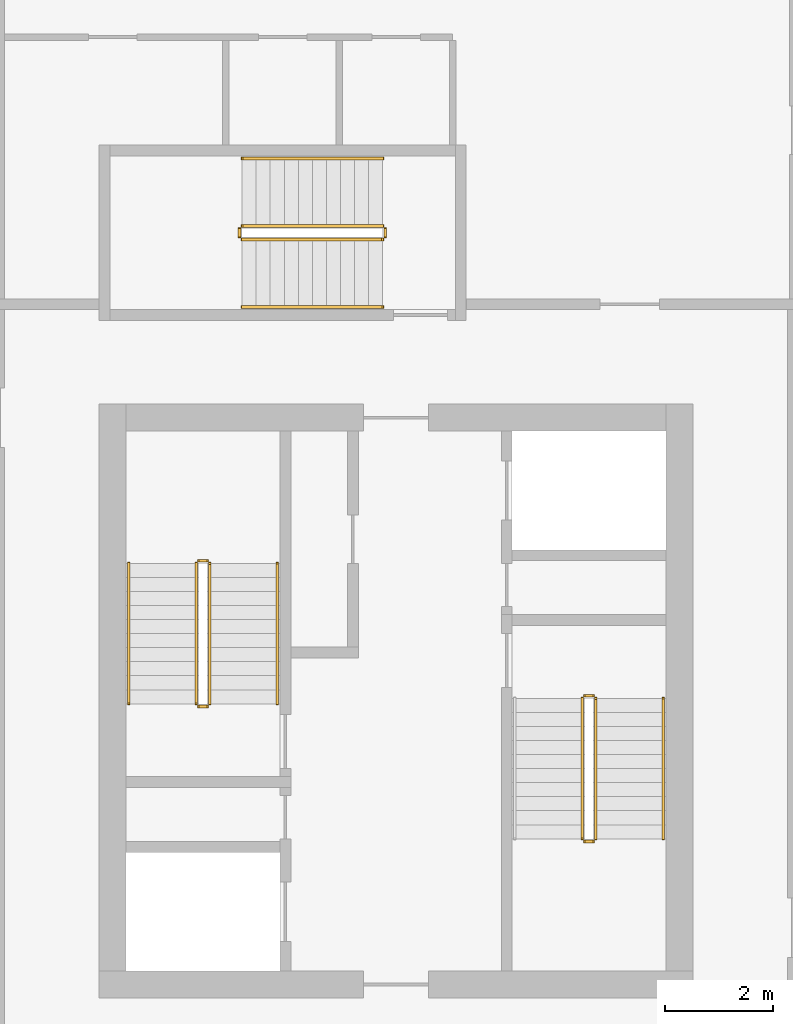
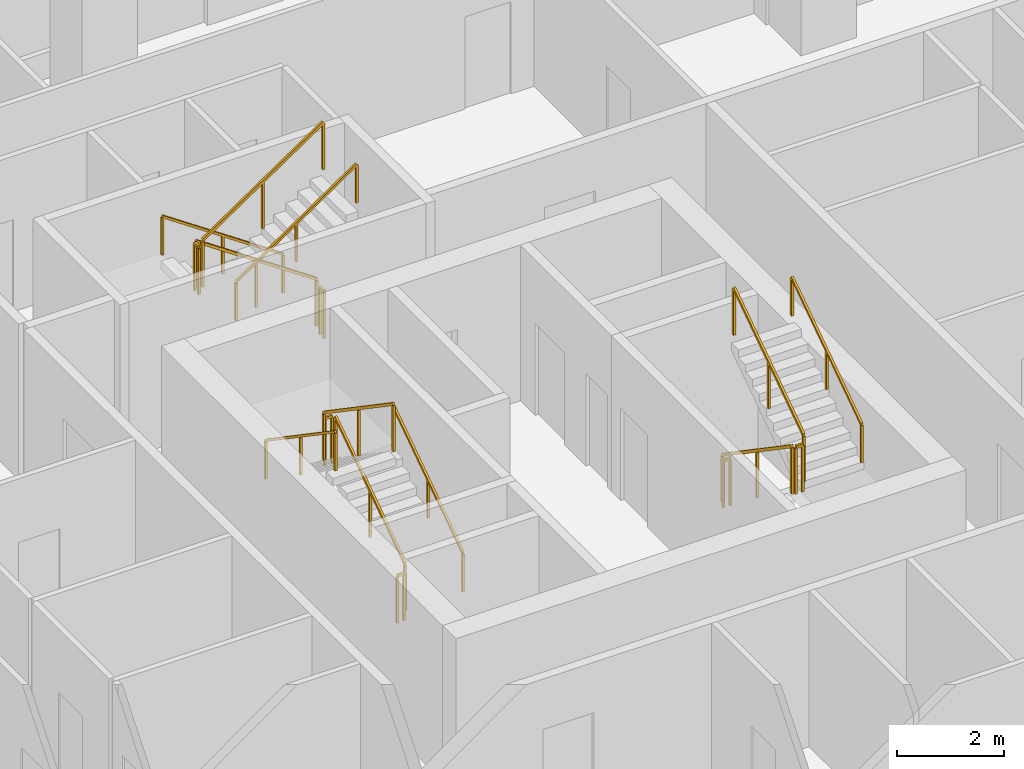
# One storey, part 9 of 10: 17 railings.
"""IFC4 building model written with IfcOpenShell, lengths in metres."""

from ifc_helpers import new_model, si_unit, direction, frame, origin, origin_2d, place, context, subcontext, project, spatial, rectangle, extrude, material, type_object, element, save


model = new_model("IFC4")

# Units and contexts
model_context = context("Model", 3, precision=1e-05, world=origin(), true_north=direction((0.0, 1.0)))
body_context = subcontext(model_context, "Body", "Model", "MODEL_VIEW")
ifc_project = project(units=[si_unit("LENGTHUNIT", "METRE"), si_unit("AREAUNIT", "SQUARE_METRE"), si_unit("VOLUMEUNIT", "CUBIC_METRE"), si_unit("PLANEANGLEUNIT", "RADIAN"), si_unit("MASSUNIT", "GRAM", prefix="KILO")], contexts=[model_context])

# Site, building, storey
site_placement = place(None, origin())
site = spatial("IfcSite", under=ifc_project, at=site_placement, CompositionType="ELEMENT")
building_placement = place(site_placement, origin())
building = spatial("IfcBuilding", under=site, at=building_placement, Name="Khepri Terraces", CompositionType="ELEMENT")
storey_placement = place(building_placement, frame((0.0, 0.0, 300.60009765625)))
storey = spatial("IfcBuildingStorey", under=building, at=storey_placement, Name="L72", CompositionType="ELEMENT", Elevation=300.60009765625)

# Railings
ifc_material = material(Name="Stainless steel 316", Category="steel")
railing_type_1 = type_object("IfcRailingType", Name="RL-CORE-GUARD", PredefinedType="GUARDRAIL", material=ifc_material)
railing_1_placement = place(storey_placement, frame((-3.449951171875, -0.050048828125, 0.17724609375)))
element("IfcRailing", 1, at=railing_1_placement, inside=storey, type_object=railing_type_1, Name="L72 ST-1 stair guard 1", PredefinedType="GUARDRAIL", context=body_context, shape_type="SweptSolid", body=[
    extrude(rectangle(XDim=0.050048828125, YDim=0.06005859375, at=origin_2d()), frame((0.0, 0.0, 1.070068359375), z_axis=(0.0, 0.826240473404, 0.563317565952), x_axis=(-1.0, 0.0, 0.0)), (0.0, 0.0, 1.0), 3.14697265625),
    extrude(rectangle(XDim=0.050048828125, YDim=0.050048828125, at=origin_2d()), origin(), (0.0, 0.0, 1.0), 1.0400390625),
    extrude(rectangle(XDim=0.050048828125, YDim=0.050048828125, at=origin_2d()), frame((0.0, 1.300048828125, 0.88623046875)), (0.0, 0.0, 1.0), 1.0400390625),
    extrude(rectangle(XDim=0.050048828125, YDim=0.050048828125, at=origin_2d()), frame((0.0, 2.60009765625, 1.772705078125)), (0.0, 0.0, 1.0), 1.0400390625),
])
railing_2_placement = place(storey_placement, frame((-3.5, 2.60009765625, 1.949951171875)))
element("IfcRailing", 2, at=railing_2_placement, inside=storey, type_object=railing_type_1, Name="L72 ST-1 stair guard 2", PredefinedType="GUARDRAIL", context=body_context, shape_type="SweptSolid", body=[
    extrude(rectangle(XDim=0.050048828125, YDim=0.06005859375, at=origin_2d()), frame((0.0, 0.0, 1.070068359375), z_axis=(-1.0, 0.0, 0.0), x_axis=(0.0, -1.0, 0.0)), (0.0, 0.0, 1.0), 0.14990234375),
    extrude(rectangle(XDim=0.050048828125, YDim=0.050048828125, at=origin_2d()), origin(), (0.0, 0.0, 1.0), 1.0400390625),
    extrude(rectangle(XDim=0.050048828125, YDim=0.050048828125, at=origin_2d()), frame((-0.14990234375, 0.0, 0.0)), (0.0, 0.0, 1.0), 1.0400390625),
])
railing_3_placement = place(storey_placement, frame((-3.699951171875, 2.550048828125, 2.127197265625)))
element("IfcRailing", 3, at=railing_3_placement, inside=storey, type_object=railing_type_1, Name="L72 ST-1 stair guard 3", PredefinedType="GUARDRAIL", context=body_context, shape_type="SweptSolid", body=[
    extrude(rectangle(XDim=0.050048828125, YDim=0.06005859375, at=origin_2d()), frame((0.0, 0.0, 1.070068359375), z_axis=(0.0, -0.826240473404, 0.563317565952), x_axis=(1.0, 0.0, 0.0)), (0.0, 0.0, 1.0), 3.14697265625),
    extrude(rectangle(XDim=0.050048828125, YDim=0.050048828125, at=origin_2d()), origin(), (0.0, 0.0, 1.0), 1.0400390625),
    extrude(rectangle(XDim=0.050048828125, YDim=0.050048828125, at=origin_2d()), frame((0.0, -1.300048828125, 0.88623046875)), (0.0, 0.0, 1.0), 1.0400390625),
    extrude(rectangle(XDim=0.050048828125, YDim=0.050048828125, at=origin_2d()), frame((0.0, -2.60009765625, 1.772705078125)), (0.0, 0.0, 1.0), 1.0400390625),
])
railing_4_placement = place(storey_placement, frame((-3.5, -0.10009765625, 0.0)))
element("IfcRailing", 4, at=railing_4_placement, inside=storey, type_object=railing_type_1, Name="L72 ST-1 stair guard 4", PredefinedType="GUARDRAIL", context=body_context, shape_type="SweptSolid", body=[
    extrude(rectangle(XDim=0.050048828125, YDim=0.06005859375, at=origin_2d()), frame((0.0, 0.0, 1.070068359375), z_axis=(-1.0, 0.0, 0.0), x_axis=(0.0, -1.0, 0.0)), (0.0, 0.0, 1.0), 0.14990234375),
    extrude(rectangle(XDim=0.050048828125, YDim=0.050048828125, at=origin_2d()), origin(), (0.0, 0.0, 1.0), 1.0400390625),
    extrude(rectangle(XDim=0.050048828125, YDim=0.050048828125, at=origin_2d()), frame((-0.14990234375, 0.0, 0.0)), (0.0, 0.0, 1.0), 1.0400390625),
])
railing_5_placement = place(storey_placement, frame((3.449951171875, 0.050048828125, 0.17724609375)))
element("IfcRailing", 5, at=railing_5_placement, inside=storey, type_object=railing_type_1, Name="L72 ST-2 stair guard 1", PredefinedType="GUARDRAIL", context=body_context, shape_type="SweptSolid", body=[
    extrude(rectangle(XDim=0.050048828125, YDim=0.06005859375, at=origin_2d()), frame((0.0, 0.0, 1.070068359375), z_axis=(0.0, -0.826240473404, 0.563317565952), x_axis=(1.0, 0.0, 0.0)), (0.0, 0.0, 1.0), 3.14697265625),
    extrude(rectangle(XDim=0.050048828125, YDim=0.050048828125, at=origin_2d()), origin(), (0.0, 0.0, 1.0), 1.0400390625),
    extrude(rectangle(XDim=0.050048828125, YDim=0.050048828125, at=origin_2d()), frame((0.0, -1.300048828125, 0.88623046875)), (0.0, 0.0, 1.0), 1.0400390625),
    extrude(rectangle(XDim=0.050048828125, YDim=0.050048828125, at=origin_2d()), frame((0.0, -2.60009765625, 1.772705078125)), (0.0, 0.0, 1.0), 1.0400390625),
])
railing_6_placement = place(storey_placement, frame((3.5, -2.60009765625, 1.949951171875)))
element("IfcRailing", 6, at=railing_6_placement, inside=storey, type_object=railing_type_1, Name="L72 ST-2 stair guard 2", PredefinedType="GUARDRAIL", context=body_context, shape_type="SweptSolid", body=[
    extrude(rectangle(XDim=0.050048828125, YDim=0.06005859375, at=origin_2d()), frame((0.0, 0.0, 1.070068359375), z_axis=(1.0, 0.0, 0.0), x_axis=(0.0, 1.0, 0.0)), (0.0, 0.0, 1.0), 0.14990234375),
    extrude(rectangle(XDim=0.050048828125, YDim=0.050048828125, at=origin_2d()), origin(), (0.0, 0.0, 1.0), 1.0400390625),
    extrude(rectangle(XDim=0.050048828125, YDim=0.050048828125, at=origin_2d()), frame((0.14990234375, 0.0, 0.0)), (0.0, 0.0, 1.0), 1.0400390625),
])
railing_7_placement = place(storey_placement, frame((3.699951171875, -2.550048828125, 2.127197265625)))
element("IfcRailing", 7, at=railing_7_placement, inside=storey, type_object=railing_type_1, Name="L72 ST-2 stair guard 3", PredefinedType="GUARDRAIL", context=body_context, shape_type="SweptSolid", body=[
    extrude(rectangle(XDim=0.050048828125, YDim=0.06005859375, at=origin_2d()), frame((0.0, 0.0, 1.070068359375), z_axis=(0.0, 0.826240473404, 0.563317565952), x_axis=(-1.0, 0.0, 0.0)), (0.0, 0.0, 1.0), 3.14697265625),
    extrude(rectangle(XDim=0.050048828125, YDim=0.050048828125, at=origin_2d()), origin(), (0.0, 0.0, 1.0), 1.0400390625),
    extrude(rectangle(XDim=0.050048828125, YDim=0.050048828125, at=origin_2d()), frame((0.0, 1.300048828125, 0.88623046875)), (0.0, 0.0, 1.0), 1.0400390625),
    extrude(rectangle(XDim=0.050048828125, YDim=0.050048828125, at=origin_2d()), frame((0.0, 2.60009765625, 1.772705078125)), (0.0, 0.0, 1.0), 1.0400390625),
])
railing_8_placement = place(storey_placement, frame((3.5, 0.10009765625, 0.0)))
element("IfcRailing", 8, at=railing_8_placement, inside=storey, type_object=railing_type_1, Name="L72 ST-2 stair guard 4", PredefinedType="GUARDRAIL", context=body_context, shape_type="SweptSolid", body=[
    extrude(rectangle(XDim=0.050048828125, YDim=0.06005859375, at=origin_2d()), frame((0.0, 0.0, 1.070068359375), z_axis=(1.0, 0.0, 0.0), x_axis=(0.0, 1.0, 0.0)), (0.0, 0.0, 1.0), 0.14990234375),
    extrude(rectangle(XDim=0.050048828125, YDim=0.050048828125, at=origin_2d()), origin(), (0.0, 0.0, 1.0), 1.0400390625),
    extrude(rectangle(XDim=0.050048828125, YDim=0.050048828125, at=origin_2d()), frame((0.14990234375, 0.0, 0.0)), (0.0, 0.0, 1.0), 1.0400390625),
])
railing_9_placement = place(storey_placement, frame((-0.25, 8.800048828125, 0.17724609375)))
element("IfcRailing", 9, at=railing_9_placement, inside=storey, type_object=railing_type_1, Name="L72 ST-3 stair guard 1", PredefinedType="GUARDRAIL", context=body_context, shape_type="SweptSolid", body=[
    extrude(rectangle(XDim=0.050048828125, YDim=0.06005859375, at=origin_2d()), frame((0.0, 0.0, 1.070068359375), z_axis=(-0.826240473404, 0.0, 0.563317565952), x_axis=(0.0, -1.0, 0.0)), (0.0, 0.0, 1.0), 3.14697265625),
    extrude(rectangle(XDim=0.050048828125, YDim=0.050048828125, at=origin_2d()), origin(), (0.0, 0.0, 1.0), 1.0400390625),
    extrude(rectangle(XDim=0.050048828125, YDim=0.050048828125, at=origin_2d()), frame((-1.300048828125, 0.0, 0.88623046875)), (0.0, 0.0, 1.0), 1.0400390625),
    extrude(rectangle(XDim=0.050048828125, YDim=0.050048828125, at=origin_2d()), frame((-2.60009765625, 0.0, 1.772705078125)), (0.0, 0.0, 1.0), 1.0400390625),
])
railing_10_placement = place(storey_placement, frame((-2.89990234375, 8.75, 1.949951171875)))
element("IfcRailing", 10, at=railing_10_placement, inside=storey, type_object=railing_type_1, Name="L72 ST-3 stair guard 2", PredefinedType="GUARDRAIL", context=body_context, shape_type="SweptSolid", body=[
    extrude(rectangle(XDim=0.050048828125, YDim=0.06005859375, at=origin_2d()), frame((0.0, 0.0, 1.070068359375), z_axis=(0.0, -1.0, 0.0), x_axis=(1.0, 0.0, 0.0)), (0.0, 0.0, 1.0), 0.14990234375),
    extrude(rectangle(XDim=0.050048828125, YDim=0.050048828125, at=origin_2d()), origin(), (0.0, 0.0, 1.0), 1.0400390625),
    extrude(rectangle(XDim=0.050048828125, YDim=0.050048828125, at=origin_2d()), frame((0.0, -0.14990234375, 0.0)), (0.0, 0.0, 1.0), 1.0400390625),
])
railing_11_placement = place(storey_placement, frame((-2.85009765625, 8.550048828125, 2.127197265625)))
element("IfcRailing", 11, at=railing_11_placement, inside=storey, type_object=railing_type_1, Name="L72 ST-3 stair guard 3", PredefinedType="GUARDRAIL", context=body_context, shape_type="SweptSolid", body=[
    extrude(rectangle(XDim=0.050048828125, YDim=0.06005859375, at=origin_2d()), frame((0.0, 0.0, 1.070068359375), z_axis=(0.826240473404, 0.0, 0.563317565952), x_axis=(0.0, 1.0, 0.0)), (0.0, 0.0, 1.0), 3.14697265625),
    extrude(rectangle(XDim=0.050048828125, YDim=0.050048828125, at=origin_2d()), origin(), (0.0, 0.0, 1.0), 1.0400390625),
    extrude(rectangle(XDim=0.050048828125, YDim=0.050048828125, at=origin_2d()), frame((1.300048828125, 0.0, 0.88623046875)), (0.0, 0.0, 1.0), 1.0400390625),
    extrude(rectangle(XDim=0.050048828125, YDim=0.050048828125, at=origin_2d()), frame((2.60009765625, 0.0, 1.772705078125)), (0.0, 0.0, 1.0), 1.0400390625),
])
railing_12_placement = place(storey_placement, frame((-0.199951171875, 8.75, 0.0)))
element("IfcRailing", 12, at=railing_12_placement, inside=storey, type_object=railing_type_1, Name="L72 ST-3 stair guard 4", PredefinedType="GUARDRAIL", context=body_context, shape_type="SweptSolid", body=[
    extrude(rectangle(XDim=0.050048828125, YDim=0.06005859375, at=origin_2d()), frame((0.0, 0.0, 1.070068359375), z_axis=(0.0, -1.0, 0.0), x_axis=(1.0, 0.0, 0.0)), (0.0, 0.0, 1.0), 0.14990234375),
    extrude(rectangle(XDim=0.050048828125, YDim=0.050048828125, at=origin_2d()), origin(), (0.0, 0.0, 1.0), 1.0400390625),
    extrude(rectangle(XDim=0.050048828125, YDim=0.050048828125, at=origin_2d()), frame((0.0, -0.14990234375, 0.0)), (0.0, 0.0, 1.0), 1.0400390625),
])
railing_type_2 = type_object("IfcRailingType", Name="RL-CORE-HANDRAIL", PredefinedType="HANDRAIL", material=ifc_material)
railing_13_placement = place(storey_placement, frame((-2.199951171875, -0.050048828125, 0.17724609375)))
element("IfcRailing", 13, at=railing_13_placement, inside=storey, type_object=railing_type_2, Name="L72 ST-1 stair handrail 1", PredefinedType="HANDRAIL", context=body_context, shape_type="SweptSolid", body=[
    extrude(rectangle(XDim=0.050048828125, YDim=0.050048828125, at=origin_2d()), frame((0.0, 0.0, 0.875), z_axis=(0.0, 0.826240473404, 0.563317565952), x_axis=(-1.0, 0.0, 0.0)), (0.0, 0.0, 1.0), 3.14697265625),
    extrude(rectangle(XDim=0.050048828125, YDim=0.050048828125, at=origin_2d()), origin(), (0.0, 0.0, 1.0), 0.849853515625),
    extrude(rectangle(XDim=0.050048828125, YDim=0.050048828125, at=origin_2d()), frame((0.0, 1.300048828125, 0.88623046875)), (0.0, 0.0, 1.0), 0.849853515625),
    extrude(rectangle(XDim=0.050048828125, YDim=0.050048828125, at=origin_2d()), frame((0.0, 2.60009765625, 1.772705078125)), (0.0, 0.0, 1.0), 0.849853515625),
])
railing_14_placement = place(storey_placement, frame((-4.949951171875, 2.550048828125, 2.127197265625)))
element("IfcRailing", 14, at=railing_14_placement, inside=storey, type_object=railing_type_2, Name="L72 ST-1 stair handrail 2", PredefinedType="HANDRAIL", context=body_context, shape_type="SweptSolid", body=[
    extrude(rectangle(XDim=0.050048828125, YDim=0.050048828125, at=origin_2d()), frame((0.0, 0.0, 0.875), z_axis=(0.0, -0.826240473404, 0.563317565952), x_axis=(1.0, 0.0, 0.0)), (0.0, 0.0, 1.0), 3.14697265625),
    extrude(rectangle(XDim=0.050048828125, YDim=0.050048828125, at=origin_2d()), origin(), (0.0, 0.0, 1.0), 0.849853515625),
    extrude(rectangle(XDim=0.050048828125, YDim=0.050048828125, at=origin_2d()), frame((0.0, -1.300048828125, 0.88623046875)), (0.0, 0.0, 1.0), 0.849853515625),
    extrude(rectangle(XDim=0.050048828125, YDim=0.050048828125, at=origin_2d()), frame((0.0, -2.60009765625, 1.772705078125)), (0.0, 0.0, 1.0), 0.849853515625),
])
railing_15_placement = place(storey_placement, frame((4.949951171875, -2.550048828125, 2.127197265625)))
element("IfcRailing", 15, at=railing_15_placement, inside=storey, type_object=railing_type_2, Name="L72 ST-2 stair handrail 2", PredefinedType="HANDRAIL", context=body_context, shape_type="SweptSolid", body=[
    extrude(rectangle(XDim=0.050048828125, YDim=0.050048828125, at=origin_2d()), frame((0.0, 0.0, 0.875), z_axis=(0.0, 0.826240473404, 0.563317565952), x_axis=(-1.0, 0.0, 0.0)), (0.0, 0.0, 1.0), 3.14697265625),
    extrude(rectangle(XDim=0.050048828125, YDim=0.050048828125, at=origin_2d()), origin(), (0.0, 0.0, 1.0), 0.849853515625),
    extrude(rectangle(XDim=0.050048828125, YDim=0.050048828125, at=origin_2d()), frame((0.0, 1.300048828125, 0.88623046875)), (0.0, 0.0, 1.0), 0.849853515625),
    extrude(rectangle(XDim=0.050048828125, YDim=0.050048828125, at=origin_2d()), frame((0.0, 2.60009765625, 1.772705078125)), (0.0, 0.0, 1.0), 0.849853515625),
])
railing_16_placement = place(storey_placement, frame((-0.25, 10.050048828125, 0.17724609375)))
element("IfcRailing", 16, at=railing_16_placement, inside=storey, type_object=railing_type_2, Name="L72 ST-3 stair handrail 1", PredefinedType="HANDRAIL", context=body_context, shape_type="SweptSolid", body=[
    extrude(rectangle(XDim=0.050048828125, YDim=0.050048828125, at=origin_2d()), frame((0.0, 0.0, 0.875), z_axis=(-0.826240473404, 0.0, 0.563317565952), x_axis=(0.0, -1.0, 0.0)), (0.0, 0.0, 1.0), 3.14697265625),
    extrude(rectangle(XDim=0.050048828125, YDim=0.050048828125, at=origin_2d()), origin(), (0.0, 0.0, 1.0), 0.849853515625),
    extrude(rectangle(XDim=0.050048828125, YDim=0.050048828125, at=origin_2d()), frame((-1.300048828125, 0.0, 0.88623046875)), (0.0, 0.0, 1.0), 0.849853515625),
    extrude(rectangle(XDim=0.050048828125, YDim=0.050048828125, at=origin_2d()), frame((-2.60009765625, 0.0, 1.772705078125)), (0.0, 0.0, 1.0), 0.849853515625),
])
railing_17_placement = place(storey_placement, frame((-2.85009765625, 7.300048828125, 2.127197265625)))
element("IfcRailing", 17, at=railing_17_placement, inside=storey, type_object=railing_type_2, Name="L72 ST-3 stair handrail 2", PredefinedType="HANDRAIL", context=body_context, shape_type="SweptSolid", body=[
    extrude(rectangle(XDim=0.050048828125, YDim=0.050048828125, at=origin_2d()), frame((0.0, 0.0, 0.875), z_axis=(0.826240473404, 0.0, 0.563317565952), x_axis=(0.0, 1.0, 0.0)), (0.0, 0.0, 1.0), 3.14697265625),
    extrude(rectangle(XDim=0.050048828125, YDim=0.050048828125, at=origin_2d()), origin(), (0.0, 0.0, 1.0), 0.849853515625),
    extrude(rectangle(XDim=0.050048828125, YDim=0.050048828125, at=origin_2d()), frame((1.300048828125, 0.0, 0.88623046875)), (0.0, 0.0, 1.0), 0.849853515625),
    extrude(rectangle(XDim=0.050048828125, YDim=0.050048828125, at=origin_2d()), frame((2.60009765625, 0.0, 1.772705078125)), (0.0, 0.0, 1.0), 0.849853515625),
])

save(model, "model.ifc")
